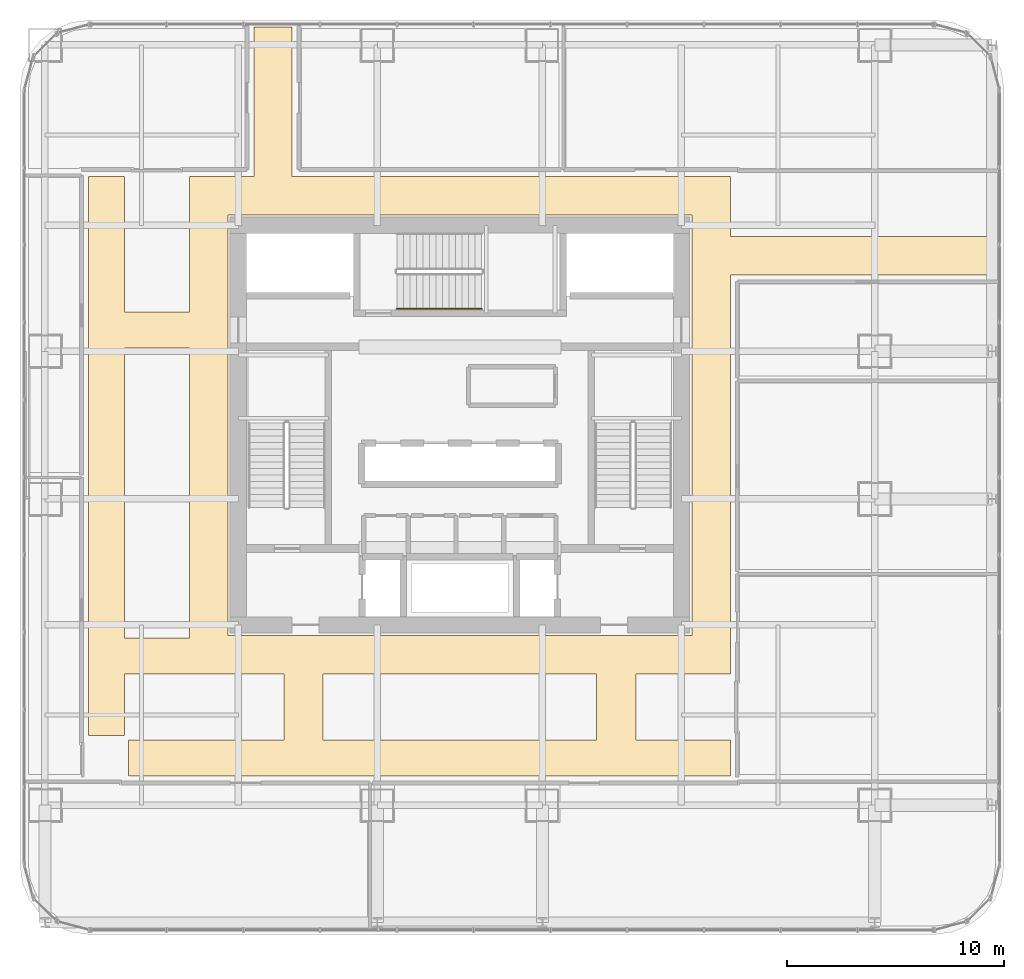
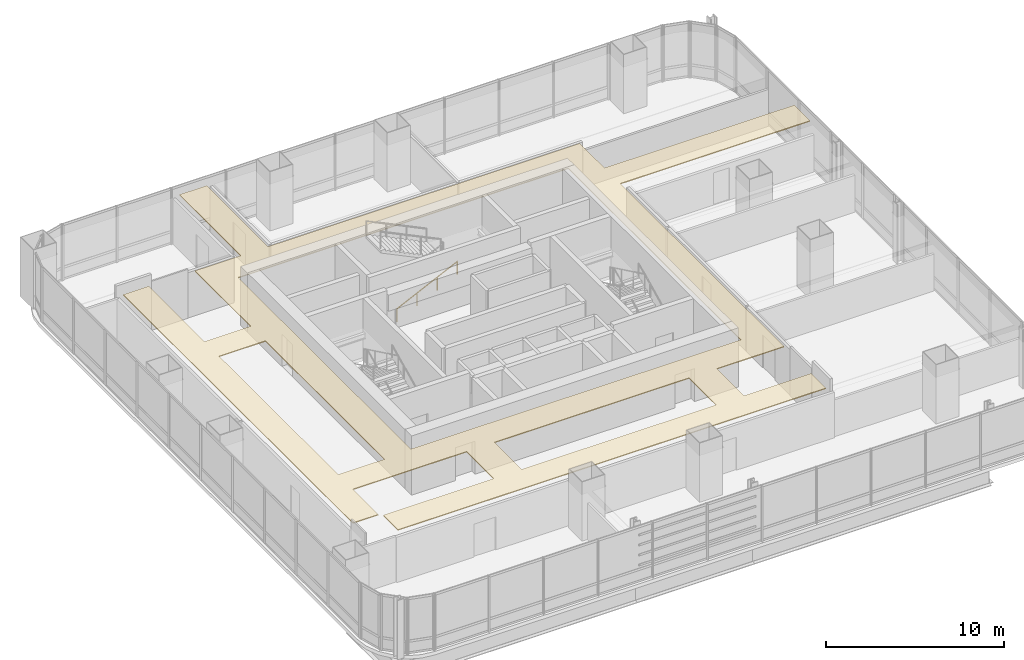
# One storey, part 33 of 35: 1 covering, 1 railing.
"""IFC4 building model written with IfcOpenShell, lengths in metres."""

from ifc_helpers import new_model, si_unit, direction, frame, origin, origin_2d, place, context, subcontext, project, spatial, polyline, circle, outline, extrude, material, layer, layer_set, type_object, element, save


model = new_model("IFC4")

# Units and contexts
model_context = context("Model", 3, precision=1e-05, world=origin(), true_north=direction((0.0, 1.0)))
body_context = subcontext(model_context, "Body", "Model", "MODEL_VIEW")
ifc_project = project(units=[si_unit("LENGTHUNIT", "METRE"), si_unit("AREAUNIT", "SQUARE_METRE"), si_unit("VOLUMEUNIT", "CUBIC_METRE"), si_unit("PLANEANGLEUNIT", "RADIAN"), si_unit("MASSUNIT", "GRAM", prefix="KILO")], contexts=[model_context])

# Site, building, storey
site_placement = place(None, origin())
site = spatial("IfcSite", under=ifc_project, at=site_placement, CompositionType="ELEMENT")
building_placement = place(site_placement, origin())
building = spatial("IfcBuilding", under=site, at=building_placement, Name="Punatoya Terracotta Tower", CompositionType="ELEMENT")
storey_placement = place(building_placement, frame((0.0, 0.0, 68.699951171875)))
storey = spatial("IfcBuildingStorey", under=building, at=storey_placement, Name="L15", CompositionType="ELEMENT", Elevation=68.699951171875)

# Covering
ifc_material_1 = material(Name="Acoustic Mineral Fibre Ceiling")
ifc_layer = layer(ifc_material_1, 0.06005859375)
ifc_layer_set = layer_set([ifc_layer], Name="Acoustic Mineral Fibre Ceiling")
covering_type = type_object("IfcCoveringType", Name="COV-CEIL-60", PredefinedType="CEILING", material=ifc_layer_set)
covering_placement = place(storey_placement, frame((0.0, 0.0, 3.199951171875)))
element("IfcCovering", 1, at=covering_placement, inside=storey, type_object=covering_type, Name="L15 Ring Circulation Corridor Acoustic Ceiling", PredefinedType="CEILING", context=body_context, shape_type="SweptSolid", body=[
    extrude(outline(polyline([(12.449951171875, -16.14990234375), (12.449951171875, -14.5), (8.10009765625, -14.5), (8.10009765625, -11.449951171875), (12.449951171875, -11.449951171875), (12.449951171875, 6.919921875), (24.72998046875, 6.919921875), (24.72998046875, 8.679931640625), (12.449951171875, 8.679931640625), (12.449951171875, 11.449951171875), (-7.719970703125, 11.449951171875), (-7.719970703125, 18.330078125), (-9.47998046875, 18.330078125), (-9.47998046875, 11.449951171875), (-12.449951171875, 11.449951171875), (-12.449951171875, 5.199951171875), (-15.449951171875, 5.199951171875), (-15.449951171875, 11.449951171875), (-17.10009765625, 11.449951171875), (-17.10009765625, -14.300048828125), (-15.449951171875, -14.300048828125), (-15.449951171875, -11.449951171875), (-8.10009765625, -11.449951171875), (-8.10009765625, -14.5), (-15.25, -14.5), (-15.25, -16.14990234375), (12.449951171875, -16.14990234375)]), holes=[polyline([(10.679931640625, 9.679931640625), (10.679931640625, -9.679931640625), (-10.679931640625, -9.679931640625), (-10.679931640625, 9.679931640625), (10.679931640625, 9.679931640625)]), polyline([(6.300048828125, -14.5), (-6.300048828125, -14.5), (-6.300048828125, -11.449951171875), (6.300048828125, -11.449951171875), (6.300048828125, -14.5)]), polyline([(-12.449951171875, 3.550048828125), (-12.449951171875, -9.800048828125), (-15.449951171875, -9.800048828125), (-15.449951171875, 3.550048828125), (-12.449951171875, 3.550048828125)])]), origin(), (0.0, 0.0, 1.0), 0.06005859375),
])

# Railing
ifc_material_2 = material(Name="Steel S355", Category="steel")
railing_type = type_object("IfcRailingType", Name="RLG-HND-900", PredefinedType="HANDRAIL", material=ifc_material_2)
railing_placement = place(storey_placement, frame((-2.89990234375, 5.35009765625, 0.144775390625)))
element("IfcRailing", 2, at=railing_placement, inside=storey, type_object=railing_type, Name="L15 ST-3 stair handrail 1", PredefinedType="HANDRAIL", context=body_context, shape_type="SweptSolid", body=[
    extrude(circle(Radius=0.02392578125, at=origin_2d()), frame((0.0, 0.0, 0.8759765625), z_axis=(0.900763166376, 0.0, 0.434310623978), x_axis=(0.0, 1.0, 0.0)), (0.0, 0.0, 1.0), 4.32958984375),
    extrude(circle(Radius=0.02099609375, at=origin_2d()), origin(), (0.0, 0.0, 1.0), 0.851806640625),
    extrude(circle(Radius=0.02099609375, at=origin_2d()), frame((1.300048828125, 0.0, 0.626708984375)), (0.0, 0.0, 1.0), 0.851806640625),
    extrude(circle(Radius=0.02099609375, at=origin_2d()), frame((2.599853515625, 0.0, 1.253662109375)), (0.0, 0.0, 1.0), 0.851806640625),
    extrude(circle(Radius=0.02099609375, at=origin_2d()), frame((3.89990234375, 0.0, 1.88037109375)), (0.0, 0.0, 1.0), 0.851806640625),
])

save(model, "model.ifc")
